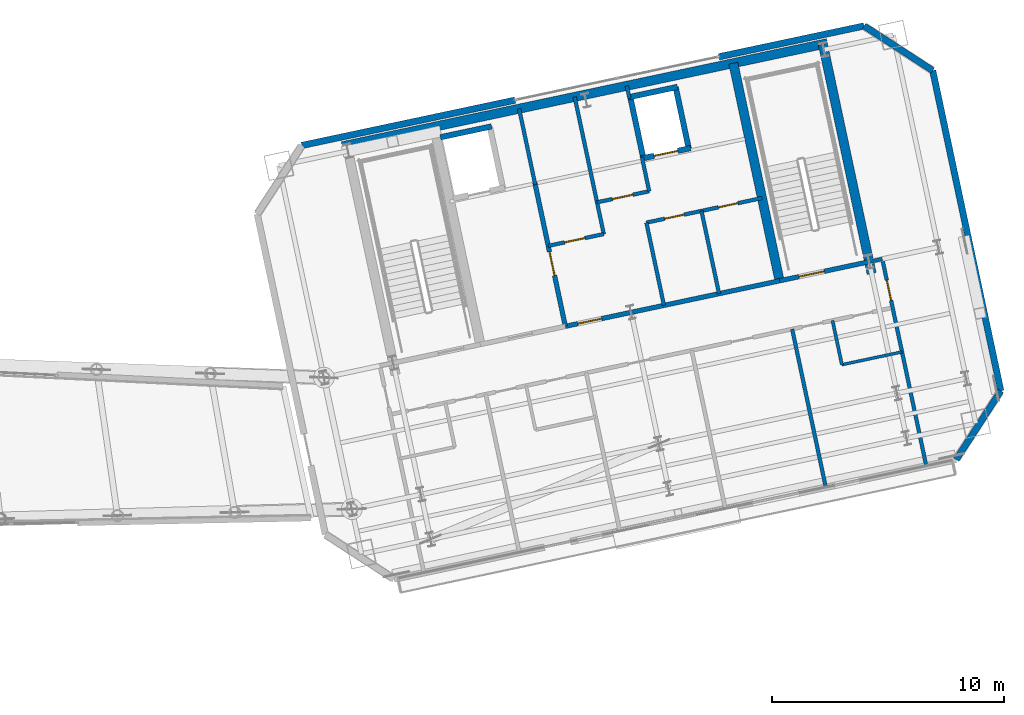
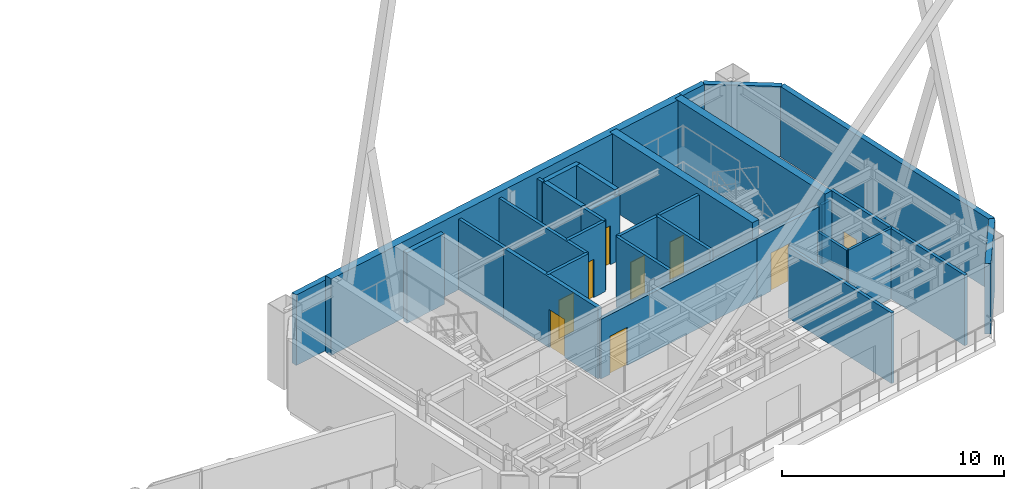
# One storey, part 18 of 23: 30 walls, 9 doors, 9 openings.
"""IFC4 building model written with IfcOpenShell, lengths in metres."""

from ifc_helpers import new_model, si_unit, direction, frame, frame_2d, origin, place, context, subcontext, project, spatial, rectangle, extrude, material, layer, layer_set, type_object, element, fill, save


model = new_model("IFC4")

# Units and contexts
model_context = context("Model", 3, precision=1e-05, world=origin(), true_north=direction((0.0, 1.0)))
body_context = subcontext(model_context, "Body", "Model", "MODEL_VIEW")
ifc_project = project(units=[si_unit("LENGTHUNIT", "METRE"), si_unit("AREAUNIT", "SQUARE_METRE"), si_unit("VOLUMEUNIT", "CUBIC_METRE"), si_unit("PLANEANGLEUNIT", "RADIAN"), si_unit("MASSUNIT", "GRAM", prefix="KILO")], contexts=[model_context])

# Site, building, storey
site_placement = place(None, origin())
site = spatial("IfcSite", under=ifc_project, at=site_placement, CompositionType="ELEMENT")
building_placement = place(site_placement, origin())
building = spatial("IfcBuilding", under=site, at=building_placement, Name="Haevon Station Towers", CompositionType="ELEMENT")
storey_placement = place(building_placement, frame((0.0, 0.0, 197.10009765625)))
storey = spatial("IfcBuildingStorey", under=building, at=storey_placement, Name="L54", CompositionType="ELEMENT", Elevation=197.10009765625)

# Wall, opening, door
ifc_material_1 = material(Name="Gypsum board on steel stud", Category="steel")
ifc_layer_1 = layer(ifc_material_1, 0.199951171875)
ifc_layer_set_1 = layer_set([ifc_layer_1], Name="Gypsum board on steel stud")
wall_type_1 = type_object("IfcWallType", Name="WL-COR200", PredefinedType="PARTITIONING", material=ifc_layer_set_1)
wall_1_placement = place(storey_placement, frame((115.4296875, 40.9873046875, 0.0), z_axis=(0.0, 0.0, 1.0), x_axis=(0.978146596989, 0.207916413008, 0.0)))
wall_1 = element("IfcWall", 1, at=wall_1_placement, inside=storey, type_object=wall_type_1, Name="WL-ST-ST4-L54", PredefinedType="PARTITIONING", context=body_context, shape_type="SweptSolid", body=[
    extrude(rectangle(XDim=3.9501953125, YDim=0.199951171875, at=frame_2d((1.97509765625, 0.0))), origin(), (0.0, 0.0, 1.0), 3.27978515625),
])
opening_1_placement = place(wall_1_placement, frame((0.85009765625, 0.0, 0.0)))
opening_1 = element("IfcOpeningElement", 2, at=opening_1_placement, cuts=wall_1, Name="Opening DR-ST-ST4-L54", PredefinedType="OPENING", context=body_context, shape_type="SweptSolid", body=[
    extrude(rectangle(XDim=1.1201171875, YDim=2.10009765625, at=frame_2d((0.56005859375, 1.050048828125))), frame((0.0, 0.10986328125, 0.0), z_axis=(0.0, -1.0, 0.0), x_axis=(1.0, 0.0, 0.0)), (0.0, 0.0, 1.0), 0.219970703125),
])
ifc_material_2 = material(Name="Engineered oak timber", Category="wood")
door_type_1 = type_object("IfcDoorType", Name="DR-ST-1120", OperationType="NOTDEFINED", PredefinedType="DOOR", material=ifc_material_2)
door_1_placement = place(opening_1_placement, origin())
door_1 = element("IfcDoor", 3, at=door_1_placement, inside=storey, type_object=door_type_1, Name="L54 Escape Stair ST4 Fire Door", OperationType="SINGLE_SWING_RIGHT", OverallHeight=2.10009765625, OverallWidth=1.1201171875, PredefinedType="DOOR", context=body_context, shape_type="SweptSolid", body=[
    extrude(rectangle(XDim=1.1201171875, YDim=2.10009765625, at=frame_2d((0.56005859375, 1.050048828125))), frame((0.0, 0.02490234375, 0.0), z_axis=(0.0, -1.0, 0.0), x_axis=(1.0, 0.0, 0.0)), (0.0, 0.0, 1.0), 0.050048828125),
])
fill(opening_1, door_1)

wall_2_placement = place(storey_placement, frame((106.186279296875, 39.0224609375, 0.0), z_axis=(0.0, 0.0, 1.0), x_axis=(-0.207916691923, 0.978146537703, 0.0)))
wall_2 = element("IfcWall", 4, at=wall_2_placement, inside=storey, type_object=wall_type_1, Name="WL-T2FFL-L54-E", PredefinedType="PARTITIONING", context=body_context, shape_type="SweptSolid", body=[
    extrude(rectangle(XDim=6.35009765625, YDim=0.199951171875, at=frame_2d((3.175048828125, 0.0))), origin(), (0.0, 0.0, 1.0), 3.8798828125),
])
opening_2_placement = place(wall_2_placement, frame((2.239990234375, 0.0, 0.0)))
opening_2 = element("IfcOpeningElement", 5, at=opening_2_placement, cuts=wall_2, Name="Opening DR-T2FFL-L54-E", PredefinedType="OPENING", context=body_context, shape_type="SweptSolid", body=[
    extrude(rectangle(XDim=1.050048828125, YDim=2.10009765625, at=frame_2d((0.52490234375, 1.050048828125))), frame((0.0, 0.10986328125, 0.0), z_axis=(0.0, -1.0, 0.0), x_axis=(1.0, 0.0, 0.0)), (0.0, 0.0, 1.0), 0.219970703125),
])
door_type_2 = type_object("IfcDoorType", Name="DR-FD60-1050", OperationType="NOTDEFINED", PredefinedType="DOOR", material=ifc_material_2)
door_2_placement = place(opening_2_placement, origin())
door_2 = element("IfcDoor", 6, at=door_2_placement, inside=storey, type_object=door_type_2, Name="L54 Tower 2 Firefighting Lift Lobby Door E", OperationType="SINGLE_SWING_LEFT", OverallHeight=2.10009765625, OverallWidth=1.050048828125, PredefinedType="DOOR", context=body_context, shape_type="SweptSolid", body=[
    extrude(rectangle(XDim=1.050048828125, YDim=2.10009765625, at=frame_2d((0.52490234375, 1.050048828125))), frame((0.0, 0.02490234375, 0.0), z_axis=(0.0, -1.0, 0.0), x_axis=(1.0, 0.0, 0.0)), (0.0, 0.0, 1.0), 0.050048828125),
])
fill(opening_2, door_2)

wall_3_placement = place(storey_placement, frame((106.186279296875, 39.0224609375, 0.0), z_axis=(0.0, 0.0, 1.0), x_axis=(0.978145519981, 0.20792147975, 0.0)))
wall_3 = element("IfcWall", 7, at=wall_3_placement, inside=storey, type_object=wall_type_1, Name="WL-T2CLB-L54", PredefinedType="PARTITIONING", context=body_context, shape_type="SweptSolid", body=[
    extrude(rectangle(XDim=9.449951171875, YDim=0.199951171875, at=frame_2d((4.72509765625, 0.0))), origin(), (0.0, 0.0, 1.0), 3.27978515625),
])
opening_3_placement = place(wall_3_placement, frame((0.550048828125, 0.0, 0.0)))
opening_3 = element("IfcOpeningElement", 8, at=opening_3_placement, cuts=wall_3, Name="Opening DR-T2CLB-L54-1", PredefinedType="OPENING", context=body_context, shape_type="SweptSolid", body=[
    extrude(rectangle(XDim=1.050048828125, YDim=2.10009765625, at=frame_2d((0.52490234375, 1.050048828125))), frame((0.0, 0.10986328125, 0.0), z_axis=(0.0, -1.0, 0.0), x_axis=(1.0, 0.0, 0.0)), (0.0, 0.0, 1.0), 0.219970703125),
])
door_3_placement = place(opening_3_placement, origin())
door_3 = element("IfcDoor", 9, at=door_3_placement, inside=storey, type_object=door_type_2, Name="L54 Tower 2 Core Lift Lobby Door 1", OperationType="SINGLE_SWING_LEFT", OverallHeight=2.10009765625, OverallWidth=1.050048828125, PredefinedType="DOOR", context=body_context, shape_type="SweptSolid", body=[
    extrude(rectangle(XDim=1.050048828125, YDim=2.10009765625, at=frame_2d((0.52490234375, 1.050048828125))), frame((0.0, 0.02490234375, 0.0), z_axis=(0.0, -1.0, 0.0), x_axis=(1.0, 0.0, 0.0)), (0.0, 0.0, 1.0), 0.050048828125),
])
fill(opening_3, door_3)

# Walls
ifc_material_3 = material(Name="Concrete C60/75", Category="concrete")
ifc_layer_2 = layer(ifc_material_3, 0.39990234375)
ifc_layer_set_2 = layer_set([ifc_layer_2], Name="Concrete C60/75")
wall_type_2 = type_object("IfcWallType", Name="WL-CR400", PredefinedType="SHEAR", material=ifc_layer_set_2)
wall_4_placement = place(storey_placement, frame((96.560791015625, 46.791015625, 0.0), z_axis=(0.0, 0.0, 1.0), x_axis=(0.978148498705, 0.207907466152, 0.0)))
element("IfcWall", 10, at=wall_4_placement, inside=storey, type_object=wall_type_2, Name="WL-T2CR-L54-N", PredefinedType="SHEAR", context=body_context, shape_type="SweptSolid", body=[
    extrude(rectangle(XDim=21.39990234375, YDim=0.39990234375, at=frame_2d((10.699951171875, 0.0))), origin(), (0.0, 0.0, 1.0), 4.199951171875),
])
wall_5_placement = place(storey_placement, frame((119.401611328125, 41.2998046875, 0.0), z_axis=(0.0, 0.0, 1.0), x_axis=(-0.207904342798, 0.978149162575, 0.0)))
element("IfcWall", 11, at=wall_5_placement, inside=storey, type_object=wall_type_2, Name="WL-T2CR-L54-E", PredefinedType="SHEAR", context=body_context, shape_type="SweptSolid", body=[
    extrude(rectangle(XDim=10.1201171875, YDim=0.39990234375, at=frame_2d((5.06005859375, 0.0))), origin(), (0.0, 0.0, 1.0), 4.199951171875),
])
wall_6_placement = place(storey_placement, frame((115.4296875, 40.9873046875, 0.0), z_axis=(0.0, 0.0, 1.0), x_axis=(-0.207903162969, 0.978149413345, 0.0)))
element("IfcWall", 12, at=wall_6_placement, inside=storey, type_object=wall_type_2, Name="WL-T2CR-L54-M2", PredefinedType="SHEAR", context=body_context, shape_type="SweptSolid", body=[
    extrude(rectangle(XDim=9.599853515625, YDim=0.39990234375, at=frame_2d((4.7998046875, 0.0))), origin(), (0.0, 0.0, 1.0), 4.199951171875),
])
ifc_material_4 = material(Name="Precast concrete C45/55", Category="concrete")
ifc_layer_3 = layer(ifc_material_4, 0.280029296875)
ifc_layer_set_3 = layer_set([ifc_layer_3], Name="Precast concrete C45/55")
wall_type_3 = type_object("IfcWallType", Name="WL-EXT-PIER280", PredefinedType="SOLIDWALL", material=ifc_layer_set_3)
wall_7_placement = place(storey_placement, frame((94.814697265625, 46.828857421875, 0.0), z_axis=(0.0, 0.0, 1.0), x_axis=(0.978148090206, 0.207909388017, 0.0)))
element("IfcWall", 13, at=wall_7_placement, inside=storey, type_object=wall_type_3, Name="WL-T2-L54-N1", PredefinedType="SOLIDWALL", context=body_context, shape_type="SweptSolid", body=[
    extrude(rectangle(XDim=9.39990234375, YDim=0.280029296875, at=frame_2d((4.699951171875, 0.0))), origin(), (0.0, 0.0, 1.0), 3.8798828125),
])
wall_8_placement = place(storey_placement, frame((112.812744140625, 50.654541015625, 0.0), z_axis=(0.0, 0.0, 1.0), x_axis=(0.978148863711, 0.207905748888, 0.0)))
element("IfcWall", 14, at=wall_8_placement, inside=storey, type_object=wall_type_3, Name="WL-T2-L54-N2", PredefinedType="SOLIDWALL", context=body_context, shape_type="SweptSolid", body=[
    extrude(rectangle(XDim=6.39990234375, YDim=0.280029296875, at=frame_2d((3.199951171875, 0.0))), origin(), (0.0, 0.0, 1.0), 3.8798828125),
])
wall_9_placement = place(storey_placement, frame((119.07275390625, 51.985107421875, 0.0), z_axis=(0.0, 0.0, 1.0), x_axis=(0.838672309694, -0.544636352948, 0.0)))
element("IfcWall", 15, at=wall_9_placement, inside=storey, type_object=wall_type_3, Name="WL-T2-L54-NEC", PredefinedType="SOLIDWALL", context=body_context, shape_type="SweptSolid", body=[
    extrude(rectangle(XDim=3.535400390625, YDim=0.280029296875, at=frame_2d((1.767578125, 0.0))), origin(), (0.0, 0.0, 1.0), 3.8798828125),
])
wall_10_placement = place(storey_placement, frame((122.037841796875, 50.0595703125, 0.0), z_axis=(0.0, 0.0, 1.0), x_axis=(0.207924054969, -0.978144972571, 0.0)))
element("IfcWall", 16, at=wall_10_placement, inside=storey, type_object=wall_type_3, Name="WL-T2-L54-E", PredefinedType="SOLIDWALL", context=body_context, shape_type="SweptSolid", body=[
    extrude(rectangle(XDim=14.130126953125, YDim=0.280029296875, at=frame_2d((7.06494140625, 0.0))), origin(), (0.0, 0.0, 1.0), 3.8798828125),
])
wall_11_placement = place(storey_placement, frame((124.975830078125, 36.23828125, 0.0), z_axis=(0.0, 0.0, 1.0), x_axis=(-0.544684921471, -0.838640767148, 0.0)))
element("IfcWall", 17, at=wall_11_placement, inside=storey, type_object=wall_type_3, Name="WL-T2-L54-SEC", PredefinedType="SOLIDWALL", context=body_context, shape_type="SweptSolid", body=[
    extrude(rectangle(XDim=3.53564453125, YDim=0.280029296875, at=frame_2d((1.767822265625, 0.0))), origin(), (0.0, 0.0, 1.0), 3.8798828125),
])
ifc_layer_4 = layer(ifc_material_1, 0.125)
ifc_layer_set_4 = layer_set([ifc_layer_4], Name="Gypsum board on steel stud")
wall_type_4 = type_object("IfcWallType", Name="WL-PRT125", PredefinedType="PARTITIONING", material=ifc_layer_set_4)
wall_12_placement = place(storey_placement, frame((118.119140625, 37.367431640625, 0.0), z_axis=(0.0, 0.0, 1.0), x_axis=(0.978155341176, 0.207875271565, 0.0)))
element("IfcWall", 18, at=wall_12_placement, inside=storey, type_object=wall_type_4, Name="WL-T2PT-L54-13", PredefinedType="PARTITIONING", context=body_context, shape_type="SweptSolid", body=[
    extrude(rectangle(XDim=2.65185546875, YDim=0.125, at=frame_2d((1.325927734375, 0.0))), origin(), (0.0, 0.0, 1.0), 3.8798828125),
])
ifc_layer_5 = layer(ifc_material_1, 0.139892578125)
ifc_layer_set_5 = layer_set([ifc_layer_5], Name="Gypsum board on steel stud")
wall_type_5 = type_object("IfcWallType", Name="WL-PRT140", PredefinedType="PARTITIONING", material=ifc_layer_set_5)
wall_13_placement = place(storey_placement, frame((118.119140625, 37.367431640625, 0.0), z_axis=(0.0, 0.0, 1.0), x_axis=(-0.207972563987, 0.978134659763, 0.0)))
element("IfcWall", 19, at=wall_13_placement, inside=storey, type_object=wall_type_5, Name="WL-T2PT-L54-14", PredefinedType="PARTITIONING", context=body_context, shape_type="SweptSolid", body=[
    extrude(rectangle(XDim=1.949951171875, YDim=0.139892578125, at=frame_2d((0.97509765625, 0.0))), origin(), (0.0, 0.0, 1.0), 3.8798828125),
])
ifc_layer_6 = layer(ifc_material_1, 0.159912109375)
ifc_layer_set_6 = layer_set([ifc_layer_6], Name="Gypsum board on steel stud")
wall_type_6 = type_object("IfcWallType", Name="WL-PRT160", PredefinedType="PARTITIONING", material=ifc_layer_set_6)
wall_14_placement = place(storey_placement, frame((104.88671875, 45.135986328125, 0.0), z_axis=(0.0, 0.0, 1.0), x_axis=(-0.207846553267, 0.978161443881, 0.0)))
element("IfcWall", 20, at=wall_14_placement, inside=storey, type_object=wall_type_6, Name="WL-T2CW-L54-01", PredefinedType="PARTITIONING", context=body_context, shape_type="SweptSolid", body=[
    extrude(rectangle(XDim=3.35009765625, YDim=0.159912109375, at=frame_2d((1.675048828125, 0.0))), origin(), (0.0, 0.0, 1.0), 3.8798828125),
])

# Wall, opening, door
wall_15_placement = place(storey_placement, frame((105.4482421875, 42.494873046875, 0.0), z_axis=(0.0, 0.0, 1.0), x_axis=(0.978136559131, 0.207963630695, 0.0)))
wall_15 = element("IfcWall", 21, at=wall_15_placement, inside=storey, type_object=wall_type_6, Name="WL-T2CW-L54-02", PredefinedType="PARTITIONING", context=body_context, shape_type="SweptSolid", body=[
    extrude(rectangle(XDim=2.449951171875, YDim=0.159912109375, at=frame_2d((1.22509765625, 0.0))), origin(), (0.0, 0.0, 1.0), 3.8798828125),
])
opening_4_placement = place(wall_15_placement, frame((0.719970703125, 0.0, 0.0)))
opening_4 = element("IfcOpeningElement", 22, at=opening_4_placement, cuts=wall_15, Name="Opening DR-WL-T2CW-L54-02-1", PredefinedType="OPENING", context=body_context, shape_type="SweptSolid", body=[
    extrude(rectangle(XDim=0.89990234375, YDim=2.10009765625, at=frame_2d((0.449951171875, 1.050048828125))), frame((0.0, 0.08984375, 0.0), z_axis=(0.0, -1.0, 0.0), x_axis=(1.0, 0.0, 0.0)), (0.0, 0.0, 1.0), 0.179931640625),
])
door_type_3 = type_object("IfcDoorType", Name="DR-FD60-900", OperationType="NOTDEFINED", PredefinedType="DOOR", material=ifc_material_2)
door_4_placement = place(opening_4_placement, origin())
door_4 = element("IfcDoor", 23, at=door_4_placement, inside=storey, type_object=door_type_3, Name="L54 Tower 2 Core Room Door 2-1", OperationType="SINGLE_SWING_LEFT", OverallHeight=2.10009765625, OverallWidth=0.89990234375, PredefinedType="DOOR", context=body_context, shape_type="SweptSolid", body=[
    extrude(rectangle(XDim=0.89990234375, YDim=2.10009765625, at=frame_2d((0.449951171875, 1.050048828125))), frame((0.0, 0.02490234375, 0.0), z_axis=(0.0, -1.0, 0.0), x_axis=(1.0, 0.0, 0.0)), (0.0, 0.0, 1.0), 0.050048828125),
])
fill(opening_4, door_4)

# Wall
wall_16_placement = place(storey_placement, frame((107.8447265625, 43.00439453125, 0.0), z_axis=(0.0, 0.0, 1.0), x_axis=(-0.207944180755, 0.978140694221, 0.0)))
element("IfcWall", 24, at=wall_16_placement, inside=storey, type_object=wall_type_6, Name="WL-T2CW-L54-03", PredefinedType="PARTITIONING", context=body_context, shape_type="SweptSolid", body=[
    extrude(rectangle(XDim=6.050048828125, YDim=0.159912109375, at=frame_2d((3.02490234375, 0.0))), origin(), (0.0, 0.0, 1.0), 3.8798828125),
])

# Wall, opening, door
wall_17_placement = place(storey_placement, frame((107.553466796875, 44.373779296875, 0.0), z_axis=(0.0, 0.0, 1.0), x_axis=(0.978141312374, 0.207941273027, 0.0)))
wall_17 = element("IfcWall", 25, at=wall_17_placement, inside=storey, type_object=wall_type_6, Name="WL-T2CW-L54-04", PredefinedType="PARTITIONING", context=body_context, shape_type="SweptSolid", body=[
    extrude(rectangle(XDim=2.300048828125, YDim=0.159912109375, at=frame_2d((1.14990234375, 0.0))), origin(), (0.0, 0.0, 1.0), 3.8798828125),
])
opening_5_placement = place(wall_17_placement, frame((0.679931640625, 0.0, 0.0)))
opening_5 = element("IfcOpeningElement", 26, at=opening_5_placement, cuts=wall_17, Name="Opening DR-WL-T2CW-L54-04-1", PredefinedType="OPENING", context=body_context, shape_type="SweptSolid", body=[
    extrude(rectangle(XDim=0.89990234375, YDim=2.10009765625, at=frame_2d((0.449951171875, 1.050048828125))), frame((0.0, 0.08984375, 0.0), z_axis=(0.0, -1.0, 0.0), x_axis=(1.0, 0.0, 0.0)), (0.0, 0.0, 1.0), 0.179931640625),
])
door_5_placement = place(opening_5_placement, origin())
door_5 = element("IfcDoor", 27, at=door_5_placement, inside=storey, type_object=door_type_3, Name="L54 Tower 2 Core Room Door 4-1", OperationType="SINGLE_SWING_RIGHT", OverallHeight=2.10009765625, OverallWidth=0.89990234375, PredefinedType="DOOR", context=body_context, shape_type="SweptSolid", body=[
    extrude(rectangle(XDim=0.89990234375, YDim=2.10009765625, at=frame_2d((0.449951171875, 1.050048828125))), frame((0.0, 0.02490234375, 0.0), z_axis=(0.0, -1.0, 0.0), x_axis=(1.0, 0.0, 0.0)), (0.0, 0.0, 1.0), 0.050048828125),
])
fill(opening_5, door_5)

# Walls
wall_18_placement = place(storey_placement, frame((109.80322265625, 44.85205078125, 0.0), z_axis=(0.0, 0.0, 1.0), x_axis=(-0.207872383819, 0.978155954869, 0.0)))
element("IfcWall", 28, at=wall_18_placement, inside=storey, type_object=wall_type_6, Name="WL-T2CW-L54-05", PredefinedType="PARTITIONING", context=body_context, shape_type="SweptSolid", body=[
    extrude(rectangle(XDim=1.499755859375, YDim=0.159912109375, at=frame_2d((0.75, 0.0))), origin(), (0.0, 0.0, 1.0), 3.8798828125),
])
wall_19_placement = place(storey_placement, frame((108.950927734375, 48.8623046875, 0.0), z_axis=(0.0, 0.0, 1.0), x_axis=(-0.208134744237, 0.978100162683, 0.0)))
element("IfcWall", 29, at=wall_19_placement, inside=storey, type_object=wall_type_6, Name="WL-T2CW-L54-06", PredefinedType="PARTITIONING", context=body_context, shape_type="SweptSolid", body=[
    extrude(rectangle(XDim=0.550048828125, YDim=0.159912109375, at=frame_2d((0.27490234375, 0.0))), origin(), (0.0, 0.0, 1.0), 3.8798828125),
])
for number, where, z_axis, x_axis, name in (
    (30, (110.441162109375, 39.927001953125, 0.0), (0.0, 0.0, 1.0), (-0.207884354546, 0.978153410838, 0.0), "WL-T2CW-L54-07"),
    (31, (112.818115234375, 40.43212890625, 0.0), (0.0, 0.0, 1.0), (-0.207884354546, 0.978153410838, 0.0), "WL-T2CW-L54-08"),
):
    element("IfcWall", number, at=place(storey_placement, frame(where, z_axis=z_axis, x_axis=x_axis)), inside=storey, type_object=wall_type_6, Name=name, PredefinedType="PARTITIONING", context=body_context, shape_type="SweptSolid", body=[
        extrude(rectangle(XDim=3.650146484375, YDim=0.159912109375, at=frame_2d((1.8251953125, 0.0))), origin(), (0.0, 0.0, 1.0), 3.8798828125),
    ])

# Wall, openings, doors
wall_20_placement = place(storey_placement, frame((109.682373046875, 43.497314453125, 0.0), z_axis=(0.0, 0.0, 1.0), x_axis=(0.978149238447, 0.207903985835, 0.0)))
wall_20 = element("IfcWall", 32, at=wall_20_placement, inside=storey, type_object=wall_type_6, Name="WL-T2CW-L54-09", PredefinedType="PARTITIONING", context=body_context, shape_type="SweptSolid", body=[
    extrude(rectangle(XDim=5.099853515625, YDim=0.159912109375, at=frame_2d((2.5498046875, 0.0))), origin(), (0.0, 0.0, 1.0), 3.8798828125),
])
opening_6_placement = place(wall_20_placement, frame((0.81005859375, 0.0, 0.0)))
opening_6 = element("IfcOpeningElement", 33, at=opening_6_placement, cuts=wall_20, Name="Opening DR-WL-T2CW-L54-09-1", PredefinedType="OPENING", context=body_context, shape_type="SweptSolid", body=[
    extrude(rectangle(XDim=0.85009765625, YDim=2.050048828125, at=frame_2d((0.425048828125, 1.02490234375))), frame((0.0, 0.08984375, 0.0), z_axis=(0.0, -1.0, 0.0), x_axis=(1.0, 0.0, 0.0)), (0.0, 0.0, 1.0), 0.179931640625),
])
opening_7_placement = place(wall_20_placement, frame((3.179931640625, 0.0, 0.0)))
opening_7 = element("IfcOpeningElement", 34, at=opening_7_placement, cuts=wall_20, Name="Opening DR-WL-T2CW-L54-09-2", PredefinedType="OPENING", context=body_context, shape_type="SweptSolid", body=[
    extrude(rectangle(XDim=0.85009765625, YDim=2.050048828125, at=frame_2d((0.425048828125, 1.02490234375))), frame((0.0, 0.08984375, 0.0), z_axis=(0.0, -1.0, 0.0), x_axis=(1.0, 0.0, 0.0)), (0.0, 0.0, 1.0), 0.179931640625),
])
door_type_4 = type_object("IfcDoorType", Name="DR-FD30-850", OperationType="NOTDEFINED", PredefinedType="DOOR", material=ifc_material_2)
door_6_placement = place(opening_6_placement, origin())
door_6 = element("IfcDoor", 35, at=door_6_placement, inside=storey, type_object=door_type_4, Name="L54 Tower 2 Core Room Door 9-1", OperationType="SINGLE_SWING_LEFT", OverallHeight=2.050048828125, OverallWidth=0.85009765625, PredefinedType="DOOR", context=body_context, shape_type="SweptSolid", body=[
    extrude(rectangle(XDim=0.85009765625, YDim=2.050048828125, at=frame_2d((0.425048828125, 1.02490234375))), frame((0.0, 0.02490234375, 0.0), z_axis=(0.0, -1.0, 0.0), x_axis=(1.0, 0.0, 0.0)), (0.0, 0.0, 1.0), 0.050048828125),
])
fill(opening_6, door_6)
door_7_placement = place(opening_7_placement, origin())
door_7 = element("IfcDoor", 36, at=door_7_placement, inside=storey, type_object=door_type_4, Name="L54 Tower 2 Core Room Door 9-2", OperationType="SINGLE_SWING_RIGHT", OverallHeight=2.050048828125, OverallWidth=0.85009765625, PredefinedType="DOOR", context=body_context, shape_type="SweptSolid", body=[
    extrude(rectangle(XDim=0.85009765625, YDim=2.050048828125, at=frame_2d((0.425048828125, 1.02490234375))), frame((0.0, 0.02490234375, 0.0), z_axis=(0.0, -1.0, 0.0), x_axis=(1.0, 0.0, 0.0)), (0.0, 0.0, 1.0), 0.050048828125),
])
fill(opening_7, door_7)

# Wall
wall_21_placement = place(storey_placement, frame((119.29345703125, 41.80859375, 0.0), z_axis=(0.0, 0.0, 1.0), x_axis=(0.978146012851, 0.207919161079, 0.0)))
element("IfcWall", 37, at=wall_21_placement, inside=storey, type_object=wall_type_6, Name="WL-T2PT-L54-02", PredefinedType="PARTITIONING", context=body_context, shape_type="SweptSolid", body=[
    extrude(rectangle(XDim=0.580078125, YDim=0.159912109375, at=frame_2d((0.2900390625, 0.0))), origin(), (0.0, 0.0, 1.0), 3.27978515625),
])

# Wall, opening, door
wall_22_placement = place(storey_placement, frame((121.759033203125, 32.99853515625, 0.0), z_axis=(0.0, 0.0, 1.0), x_axis=(-0.207903528818, 0.978149335585, 0.0)))
wall_22 = element("IfcWall", 38, at=wall_22_placement, inside=storey, type_object=wall_type_6, Name="WL-T2PT-L54-04", PredefinedType="PARTITIONING", context=body_context, shape_type="SweptSolid", body=[
    extrude(rectangle(XDim=9.130126953125, YDim=0.159912109375, at=frame_2d((4.56494140625, 0.0))), origin(), (0.0, 0.0, 1.0), 3.8798828125),
])
opening_8_placement = place(wall_22_placement, frame((7.300048828125, 0.0, 0.0)))
opening_8 = element("IfcOpeningElement", 39, at=opening_8_placement, cuts=wall_22, Name="Opening DR-WL-T2PT-L54-04-01", PredefinedType="OPENING", context=body_context, shape_type="SweptSolid", body=[
    extrude(rectangle(XDim=0.89990234375, YDim=2.050048828125, at=frame_2d((0.449951171875, 1.02490234375))), frame((0.0, 0.08984375, 0.0), z_axis=(0.0, -1.0, 0.0), x_axis=(1.0, 0.0, 0.0)), (0.0, 0.0, 1.0), 0.179931640625),
])
door_type_5 = type_object("IfcDoorType", Name="DR-INT-900", OperationType="NOTDEFINED", PredefinedType="DOOR", material=ifc_material_2)
door_8_placement = place(opening_8_placement, origin())
door_8 = element("IfcDoor", 40, at=door_8_placement, inside=storey, type_object=door_type_5, Name="L54 Tower 2 Room Door 4-1", OperationType="SINGLE_SWING_RIGHT", OverallHeight=2.050048828125, OverallWidth=0.89990234375, PredefinedType="DOOR", context=body_context, shape_type="SweptSolid", body=[
    extrude(rectangle(XDim=0.89990234375, YDim=2.050048828125, at=frame_2d((0.449951171875, 1.02490234375))), frame((0.0, 0.02490234375, 0.0), z_axis=(0.0, -1.0, 0.0), x_axis=(1.0, 0.0, 0.0)), (0.0, 0.0, 1.0), 0.050048828125),
])
fill(opening_8, door_8)

# Walls
wall_23_placement = place(storey_placement, frame((117.423828125, 32.0771484375, 0.0), z_axis=(0.0, 0.0, 1.0), x_axis=(-0.207906863497, 0.9781486268, 0.0)))
element("IfcWall", 41, at=wall_23_placement, inside=storey, type_object=wall_type_6, Name="WL-T2PT-L54-12", PredefinedType="PARTITIONING", context=body_context, shape_type="SweptSolid", body=[
    extrude(rectangle(XDim=6.97998046875, YDim=0.159912109375, at=frame_2d((3.489990234375, 0.0))), origin(), (0.0, 0.0, 1.0), 3.8798828125),
])
ifc_material_5 = material(Name="Concrete C40/50", Category="concrete")
ifc_layer_7 = layer(ifc_material_5, 0.239990234375)
ifc_layer_set_7 = layer_set([ifc_layer_7], Name="Concrete C40/50")
wall_type_7 = type_object("IfcWallType", Name="WL-SHF240", PredefinedType="PARTITIONING", material=ifc_layer_set_7)
wall_24_placement = place(storey_placement, frame((100.79248046875, 47.179443359375, 0.0), z_axis=(0.0, 0.0, 1.0), x_axis=(0.978162968872, 0.207839376268, 0.0)))
element("IfcWall", 42, at=wall_24_placement, inside=storey, type_object=wall_type_7, Name="WL-SHF-FL2-L54-N", PredefinedType="PARTITIONING", context=body_context, shape_type="SweptSolid", body=[
    extrude(rectangle(XDim=2.260009765625, YDim=0.239990234375, at=frame_2d((1.1298828125, 0.0))), origin(), (0.0, 0.0, 1.0), 3.8798828125),
])

# Wall, opening, door
wall_25_placement = place(storey_placement, frame((109.472412109375, 46.263916015625, 0.0), z_axis=(0.0, 0.0, 1.0), x_axis=(0.97813528961, 0.207969601673, 0.0)))
wall_25 = element("IfcWall", 43, at=wall_25_placement, inside=storey, type_object=wall_type_7, Name="WL-SHF-PL9-L54", PredefinedType="PARTITIONING", context=body_context, shape_type="SweptSolid", body=[
    extrude(rectangle(XDim=2.159912109375, YDim=0.239990234375, at=frame_2d((1.080078125, 0.0))), origin(), (0.0, 0.0, 1.0), 3.579833984375),
])
opening_9_placement = place(wall_25_placement, frame((0.554931640625, 0.0, 0.0)))
opening_9 = element("IfcOpeningElement", 44, at=opening_9_placement, cuts=wall_25, Name="Opening LD-PL9-L54", PredefinedType="OPENING", context=body_context, shape_type="SweptSolid", body=[
    extrude(rectangle(XDim=1.050048828125, YDim=2.14990234375, at=frame_2d((0.52490234375, 1.074951171875))), frame((0.0, 0.1298828125, 0.0), z_axis=(0.0, -1.0, 0.0), x_axis=(1.0, 0.0, 0.0)), (0.0, 0.0, 1.0), 0.260009765625),
])
ifc_material_6 = material(Name="Stainless steel and rated core", Category="steel")
door_type_6 = type_object("IfcDoorType", Name="LD-PL1050", OperationType="SLIDING_TO_LEFT", PredefinedType="DOOR", material=ifc_material_6)
door_9_placement = place(opening_9_placement, origin())
door_9 = element("IfcDoor", 45, at=door_9_placement, inside=storey, type_object=door_type_6, Name="L54 Lift PL9 Sliding Landing Door", OperationType="SLIDING_TO_LEFT", OverallHeight=2.14990234375, OverallWidth=1.050048828125, PredefinedType="DOOR", context=body_context, shape_type="SweptSolid", body=[
    extrude(rectangle(XDim=1.050048828125, YDim=2.14990234375, at=frame_2d((0.52490234375, 1.074951171875))), frame((0.0, 0.02490234375, 0.0), z_axis=(0.0, -1.0, 0.0), x_axis=(1.0, 0.0, 0.0)), (0.0, 0.0, 1.0), 0.050048828125),
])
fill(opening_9, door_9)

# Walls
wall_26_placement = place(storey_placement, frame((108.9111328125, 48.905029296875, 0.0), z_axis=(0.0, 0.0, 1.0), x_axis=(0.978158276388, 0.207861459473, 0.0)))
element("IfcWall", 46, at=wall_26_placement, inside=storey, type_object=wall_type_7, Name="WL-SHF-PL9-L54-N", PredefinedType="PARTITIONING", context=body_context, shape_type="SweptSolid", body=[
    extrude(rectangle(XDim=2.159912109375, YDim=0.239990234375, at=frame_2d((1.080078125, 0.0))), origin(), (0.0, 0.0, 1.0), 3.8798828125),
])
for number, where, z_axis, x_axis, name in (
    (47, (109.55078125, 46.28076171875, 0.0), (0.0, 0.0, 1.0), (-0.207892282326, 0.978151725935, 0.0), "WL-SHF-PL9-L54-W"),
    (48, (111.507080078125, 46.696533203125, 0.0), (0.0, 0.0, 1.0), (-0.207892282326, 0.978151725935, 0.0), "WL-SHF-PL9-L54-E"),
):
    element("IfcWall", number, at=place(storey_placement, frame(where, z_axis=z_axis, x_axis=x_axis)), inside=storey, type_object=wall_type_7, Name=name, PredefinedType="PARTITIONING", context=body_context, shape_type="SweptSolid", body=[
        extrude(rectangle(XDim=2.699951171875, YDim=0.239990234375, at=frame_2d((1.35009765625, 0.0))), origin(), (0.0, 0.0, 1.0), 3.8798828125),
    ])

save(model, "model.ifc")
